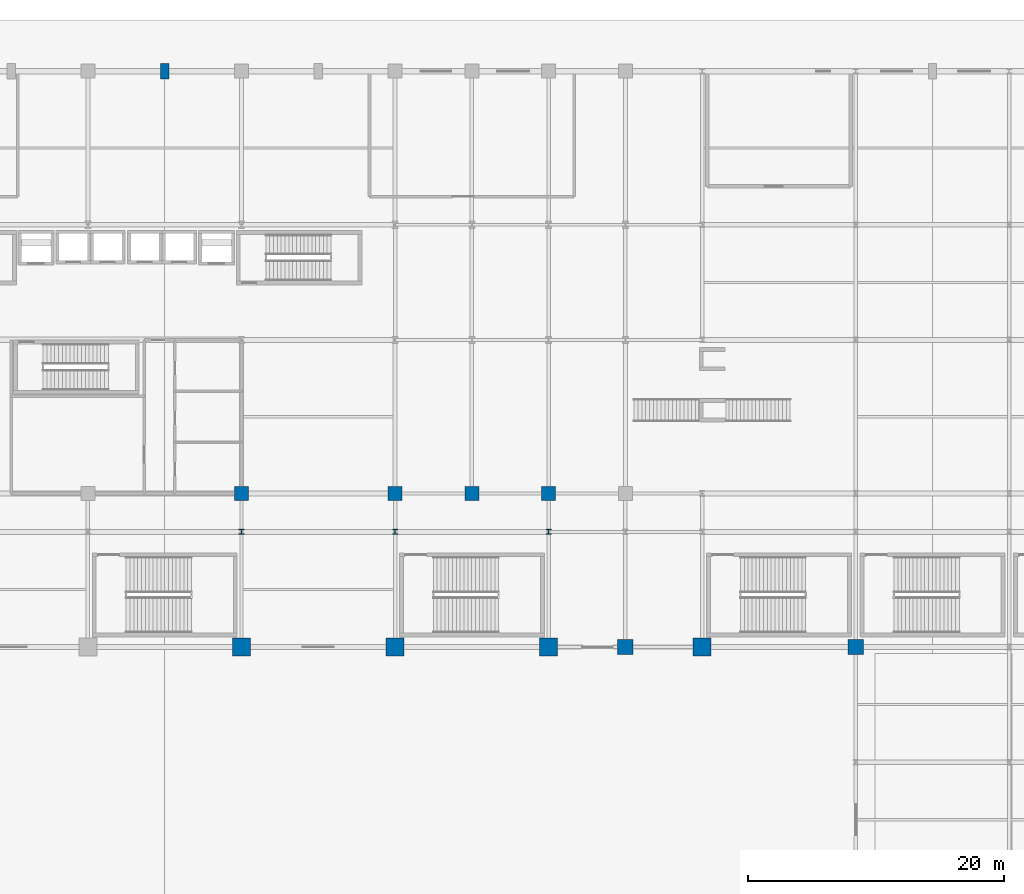
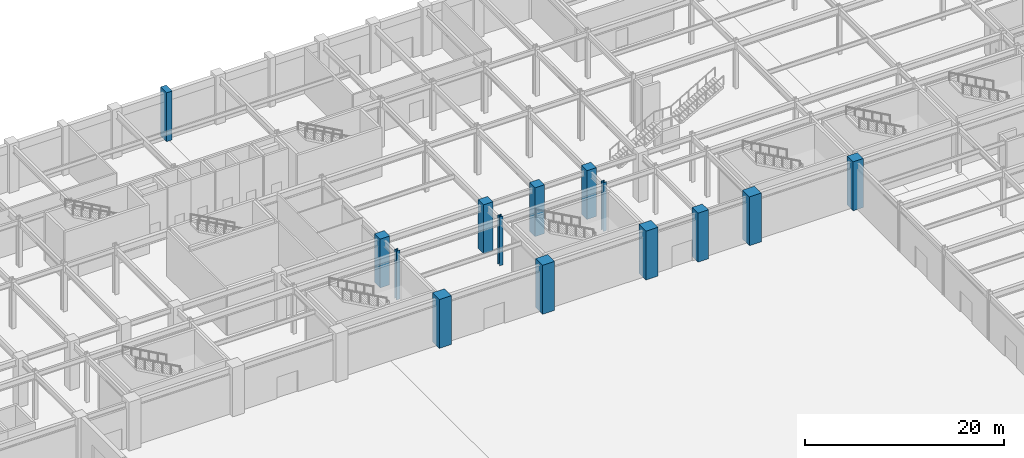
# One storey, part 8 of 44: 14 columns.
"""IFC4 building model written with IfcOpenShell, lengths in metres."""

from ifc_helpers import new_model, si_unit, direction, frame, origin, origin_2d, place, context, subcontext, project, spatial, rectangle, i_section, extrude, material, material_profile, profile_set, type_object, element, save


model = new_model("IFC4")

# Units and contexts
model_context = context("Model", 3, precision=1e-05, world=origin(), true_north=direction((0.0, 1.0)))
body_context = subcontext(model_context, "Body", "Model", "MODEL_VIEW")
ifc_project = project(units=[si_unit("LENGTHUNIT", "METRE"), si_unit("AREAUNIT", "SQUARE_METRE"), si_unit("VOLUMEUNIT", "CUBIC_METRE"), si_unit("PLANEANGLEUNIT", "RADIAN"), si_unit("MASSUNIT", "GRAM", prefix="KILO")], contexts=[model_context])

# Site, building, storey
site_placement = place(None, origin())
site = spatial("IfcSite", under=ifc_project, at=site_placement, CompositionType="ELEMENT")
building_placement = place(site_placement, origin())
building = spatial("IfcBuilding", under=site, at=building_placement, Name="Kaldorvane Square Convention Centre", CompositionType="ELEMENT")
storey_placement = place(building_placement, origin())
storey = spatial("IfcBuildingStorey", under=building, at=storey_placement, Name="L00", CompositionType="ELEMENT", Elevation=0.0)

# Columns
ifc_material_1 = material(Name="Concrete f'c = 55 MPa (Normalweight)", Category="concrete")
ifc_material_profile_1 = material_profile(ifc_material_1, rectangle(XDim=1.1999969482421875, YDim=1.1999969482421875, at=origin_2d()), Name="RC1200X1200")
ifc_profile_set_1 = profile_set([ifc_material_profile_1], Name="Concrete f'c = 55 MPa (Normalweight)")
column_type_1 = type_object("IfcColumnType", Name="COL-MEGA-1200", PredefinedType="COLUMN", material=ifc_profile_set_1)
for number, where, z_axis, x_axis, name in (
    (1, (96.0, 72.0, 0.0), (0.0, 0.0, 1.0), (1.0, 0.0, 0.0), "Column MC-02 (L00)"),
    (2, (114.0, 72.0, 0.0), (0.0, 0.0, 1.0), (1.0, 0.0, 0.0), "Column MC-02 (L00)"),
):
    element("IfcColumn", number, at=place(storey_placement, frame(where, z_axis=z_axis, x_axis=x_axis)), inside=storey, type_object=column_type_1, Name=name, PredefinedType="COLUMN", context=body_context, shape_type="SweptSolid", body=[
        extrude(rectangle(XDim=1.1999969482421875, YDim=1.1999969482421875, at=origin_2d()), origin(), (0.0, 0.0, 1.0), 6.0),
    ])
ifc_material_profile_2 = material_profile(ifc_material_1, rectangle(XDim=1.399993896484375, YDim=1.399993896484375, at=origin_2d()), Name="RC1400X1400")
ifc_profile_set_2 = profile_set([ifc_material_profile_2], Name="Concrete f'c = 55 MPa (Normalweight)")
column_type_2 = type_object("IfcColumnType", Name="COL-MEGA-1400", PredefinedType="COLUMN", material=ifc_profile_set_2)
for number, where, z_axis, x_axis, name in (
    (3, (66.0, 72.0, 0.0), (0.0, 0.0, 1.0), (1.0, 0.0, 0.0), "Column MC-01 (L00)"),
    (4, (78.0, 72.0, 0.0), (0.0, 0.0, 1.0), (1.0, 0.0, 0.0), "Column MC-01 (L00)"),
    (5, (90.0, 72.0, 0.0), (0.0, 0.0, 1.0), (1.0, 0.0, 0.0), "Column MC-01 (L00)"),
    (6, (102.0, 72.0, 0.0), (0.0, 0.0, 1.0), (1.0, 0.0, 0.0), "Column MC-01 (L00)"),
):
    element("IfcColumn", number, at=place(storey_placement, frame(where, z_axis=z_axis, x_axis=x_axis)), inside=storey, type_object=column_type_2, Name=name, PredefinedType="COLUMN", context=body_context, shape_type="SweptSolid", body=[
        extrude(rectangle(XDim=1.399993896484375, YDim=1.399993896484375, at=origin_2d()), origin(), (0.0, 0.0, 1.0), 6.0),
    ])
ifc_material_profile_3 = material_profile(ifc_material_1, rectangle(XDim=1.100006103515625, YDim=1.100006103515625, at=origin_2d()), Name="RC1100X1100")
ifc_profile_set_3 = profile_set([ifc_material_profile_3], Name="Concrete f'c = 55 MPa (Normalweight)")
column_type_3 = type_object("IfcColumnType", Name="COL-RC-1100", PredefinedType="COLUMN", material=ifc_profile_set_3)
for number, where, z_axis, x_axis, name in (
    (7, (66.0, 84.0, 0.0), (0.0, 0.0, 1.0), (1.0, 0.0, 0.0), "Column CC-01 (L00)"),
    (8, (78.0, 84.0, 0.0), (0.0, 0.0, 1.0), (1.0, 0.0, 0.0), "Column CC-01 (L00)"),
    (9, (84.0, 84.0, 0.0), (0.0, 0.0, 1.0), (1.0, 0.0, 0.0), "Column CC-01 (L00)"),
    (10, (90.0, 84.0, 0.0), (0.0, 0.0, 1.0), (1.0, 0.0, 0.0), "Column CC-01 (L00)"),
):
    element("IfcColumn", number, at=place(storey_placement, frame(where, z_axis=z_axis, x_axis=x_axis)), inside=storey, type_object=column_type_3, Name=name, PredefinedType="COLUMN", context=body_context, shape_type="SweptSolid", body=[
        extrude(rectangle(XDim=1.100006103515625, YDim=1.100006103515625, at=origin_2d()), origin(), (0.0, 0.0, 1.0), 6.0),
    ])
ifc_material_2 = material(Name="Steel ASTM A992 Gr. 50", Category="steel")
ifc_material_profile_4 = material_profile(ifc_material_2, i_section(OverallWidth=0.40130615234375, OverallDepth=0.3993072509765625, WebThickness=0.02490234375, FlangeThickness=0.0395965576171875, FilletRadius=0.0305023193359375, at=origin_2d()), Name="W14X211")
ifc_profile_set_4 = profile_set([ifc_material_profile_4], Name="Steel ASTM A992 Gr. 50")
column_type_4 = type_object("IfcColumnType", Name="COL-STL-211", PredefinedType="COLUMN", material=ifc_profile_set_4)
for number, where, z_axis, x_axis, name in (
    (11, (66.0, 81.0, 0.0), (0.0, 0.0, 1.0), (1.0, 0.0, 0.0), "Column SC-08 (L00)"),
    (12, (78.0, 81.0, 0.0), (0.0, 0.0, 1.0), (1.0, 0.0, 0.0), "Column SC-08 (L00)"),
    (13, (90.0, 81.0, 0.0), (0.0, 0.0, 1.0), (1.0, 0.0, 0.0), "Column SC-08 (L00)"),
):
    element("IfcColumn", number, at=place(storey_placement, frame(where, z_axis=z_axis, x_axis=x_axis)), inside=storey, type_object=column_type_4, Name=name, PredefinedType="COLUMN", context=body_context, shape_type="SweptSolid", body=[
        extrude(i_section(OverallWidth=0.40130615234375, OverallDepth=0.3993072509765625, WebThickness=0.02490234375, FlangeThickness=0.0395965576171875, FilletRadius=0.0305023193359375, at=origin_2d()), origin(), (0.0, 0.0, 1.0), 6.0),
    ])
ifc_material_profile_5 = material_profile(ifc_material_1, rectangle(XDim=0.649993896484375, YDim=1.1999969482421875, at=origin_2d()), Name="PIL1200X650")
ifc_profile_set_5 = profile_set([ifc_material_profile_5], Name="Concrete f'c = 55 MPa (Normalweight)")
column_type_5 = type_object("IfcColumnType", Name="PIL-BRUT-1200", PredefinedType="PILASTER", material=ifc_profile_set_5)
column_placement = place(storey_placement, frame((60.0, 117.0, 0.0), z_axis=(0.0, 0.0, 1.0), x_axis=(1.0, 0.0, 0.0)))
element("IfcColumn", 14, at=column_placement, inside=storey, type_object=column_type_5, Name="Brutalist Colonnade Pilaster (L00)", PredefinedType="PILASTER", context=body_context, shape_type="SweptSolid", body=[
    extrude(rectangle(XDim=0.649993896484375, YDim=1.1999969482421875, at=origin_2d()), origin(), (0.0, 0.0, 1.0), 6.0),
])

save(model, "model.ifc")
